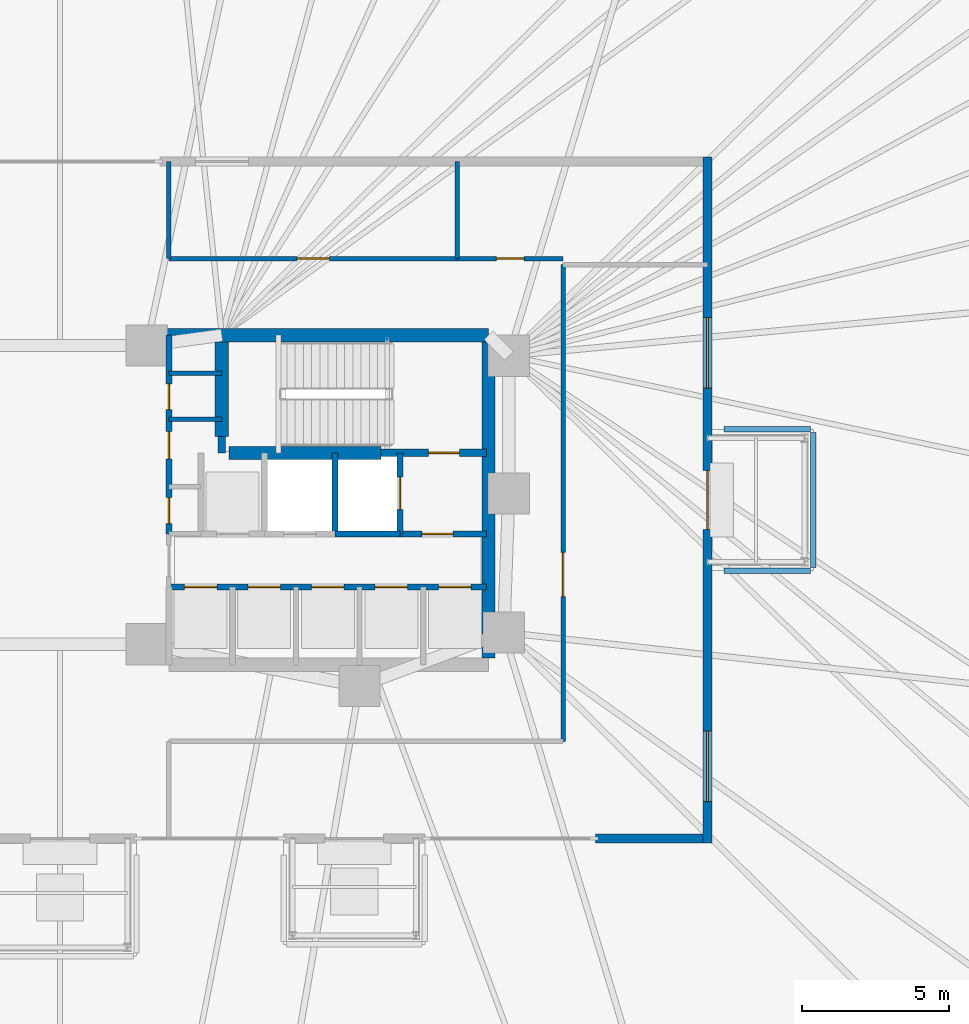
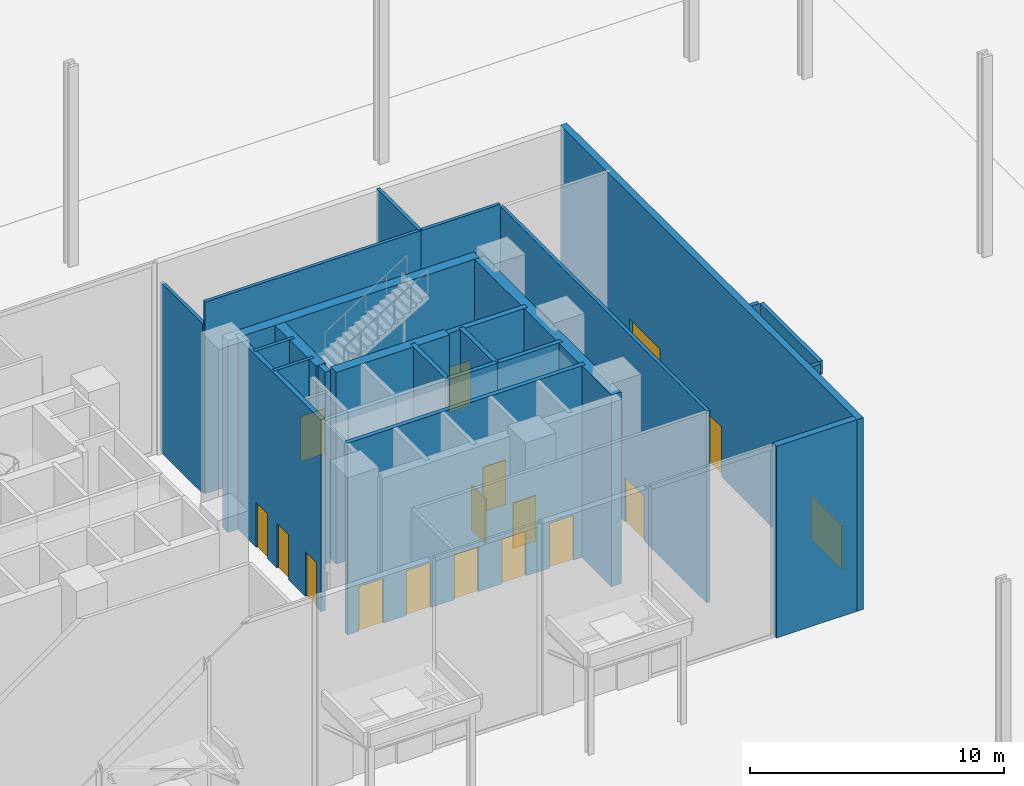
# One storey, part 20 of 24: 24 walls, 15 doors, 2 windows, 17 openings.
"""IFC4 building model written with IfcOpenShell, lengths in metres."""

from ifc_helpers import new_model, si_unit, direction, frame, frame_2d, origin, place, context, subcontext, project, spatial, rectangle, extrude, material, layer, layer_set, type_object, element, fill, save


model = new_model("IFC4")

# Units and contexts
model_context = context("Model", 3, precision=1e-05, world=origin(), true_north=direction((0.0, 1.0)))
body_context = subcontext(model_context, "Body", "Model", "MODEL_VIEW")
ifc_project = project(units=[si_unit("LENGTHUNIT", "METRE"), si_unit("AREAUNIT", "SQUARE_METRE"), si_unit("VOLUMEUNIT", "CUBIC_METRE"), si_unit("PLANEANGLEUNIT", "RADIAN"), si_unit("MASSUNIT", "GRAM", prefix="KILO")], contexts=[model_context])

# Site, building, storey
site_placement = place(None, origin())
site = spatial("IfcSite", under=ifc_project, at=site_placement, CompositionType="ELEMENT")
building_placement = place(site_placement, origin())
building = spatial("IfcBuilding", under=site, at=building_placement, Name="Menara Jurai Vektor", CompositionType="ELEMENT")
storey_placement = place(building_placement, origin())
storey = spatial("IfcBuildingStorey", under=building, at=storey_placement, Name="L00", CompositionType="ELEMENT", Elevation=0.0)

# Wall
ifc_material_1 = material(Name="Insulated Pale Aluminium Spandrel Wall", Category="aluminium")
ifc_layer_1 = layer(ifc_material_1, 0.300048828125)
ifc_layer_set_1 = layer_set([ifc_layer_1], Name="Insulated Pale Aluminium Spandrel Wall")
wall_type_1 = type_object("IfcWallType", Name="ENV-WALL-EXT300", PredefinedType="STANDARD", material=ifc_layer_set_1)
wall_1_placement = place(storey_placement, frame((18.199951171875, -11.5, 0.0), z_axis=(0.0, 0.0, 1.0), x_axis=(1.0, 0.0, 0.0)))
element("IfcWall", 1, at=wall_1_placement, inside=storey, type_object=wall_type_1, Name="Ground Lobby External Wall S-W2", PredefinedType="STANDARD", context=body_context, shape_type="SweptSolid", body=[
    extrude(rectangle(XDim=3.650146484375, YDim=0.300048828125, at=frame_2d((1.8251953125, 0.0))), origin(), (0.0, 0.0, 1.0), 9.195068359375),
])

# Wall, openings, door, windows
wall_2_placement = place(storey_placement, frame((22.0, -11.64990234375, 0.0), z_axis=(0.0, 0.0, 1.0), x_axis=(0.0, 1.0, 0.0)))
wall_2 = element("IfcWall", 2, at=wall_2_placement, inside=storey, type_object=wall_type_1, Name="Ground Lobby External Wall E-FULL", PredefinedType="STANDARD", context=body_context, shape_type="SweptSolid", body=[
    extrude(rectangle(XDim=23.2998046875, YDim=0.300048828125, at=frame_2d((11.64990234375, 0.0))), origin(), (0.0, 0.0, 1.0), 9.195068359375),
])
opening_1_placement = place(wall_2_placement, frame((10.64990234375, 0.0, 0.0)))
opening_1 = element("IfcOpeningElement", 3, at=opening_1_placement, cuts=wall_2, Name="Opening E6", PredefinedType="OPENING", context=body_context, shape_type="SweptSolid", body=[
    extrude(rectangle(XDim=2.0, YDim=2.39990234375, at=frame_2d((1.0, 1.199951171875))), frame((0.0, 0.16015625, 0.0), z_axis=(0.0, -1.0, 0.0), x_axis=(1.0, 0.0, 0.0)), (0.0, 0.0, 1.0), 0.320068359375),
])
opening_2_placement = place(wall_2_placement, frame((1.39990234375, 0.0, 1.10009765625)))
opening_2 = element("IfcOpeningElement", 4, at=opening_2_placement, cuts=wall_2, Name="Opening EW-24", PredefinedType="OPENING", context=body_context, shape_type="SweptSolid", body=[
    extrude(rectangle(XDim=2.39990234375, YDim=2.10009765625, at=frame_2d((1.199951171875, 1.050048828125))), frame((0.0, 0.16015625, 0.0), z_axis=(0.0, -1.0, 0.0), x_axis=(1.0, 0.0, 0.0)), (0.0, 0.0, 1.0), 0.320068359375),
])
opening_3_placement = place(wall_2_placement, frame((15.449951171875, 0.0, 1.10009765625)))
opening_3 = element("IfcOpeningElement", 5, at=opening_3_placement, cuts=wall_2, Name="Opening EW-24", PredefinedType="OPENING", context=body_context, shape_type="SweptSolid", body=[
    extrude(rectangle(XDim=2.39990234375, YDim=2.10009765625, at=frame_2d((1.199951171875, 1.050048828125))), frame((0.0, 0.16015625, 0.0), z_axis=(0.0, -1.0, 0.0), x_axis=(1.0, 0.0, 0.0)), (0.0, 0.0, 1.0), 0.320068359375),
])
ifc_material_2 = material(Name="Anodised Aluminium Double Glazed Entrance Door", Category="aluminium")
door_type_1 = type_object("IfcDoorType", Name="ENV-DOOR-ENT200", OperationType="NOTDEFINED", PredefinedType="DOOR", material=ifc_material_2)
door_1_placement = place(opening_1_placement, frame((2.0, 0.0, 0.0), z_axis=(0.0, 0.0, 1.0), x_axis=(-1.0, 0.0, 0.0)))
door_1 = element("IfcDoor", 6, at=door_1_placement, inside=storey, type_object=door_type_1, Name="Main Pedestrian Entrance Door E6", OperationType="DOUBLE_DOOR_SINGLE_SWING", OverallHeight=2.39990234375, OverallWidth=2.0, PredefinedType="DOOR", context=body_context, shape_type="SweptSolid", body=[
    extrude(rectangle(XDim=2.0, YDim=2.39990234375, at=frame_2d((1.0, 1.199951171875))), frame((0.0, 0.02490234375, 0.0), z_axis=(0.0, -1.0, 0.0), x_axis=(1.0, 0.0, 0.0)), (0.0, 0.0, 1.0), 0.050048828125),
])
fill(opening_1, door_1)
ifc_material_3 = material(Name="Low-E Double Glazed Pale Aluminium Window", Category="aluminium")
window_type = type_object("IfcWindowType", Name="ENV-WIN-PAV240", PartitioningType="SINGLE_PANEL", PredefinedType="WINDOW", material=ifc_material_3)
window_1_placement = place(opening_2_placement, origin())
window_1 = element("IfcWindow", 7, at=window_1_placement, inside=storey, type_object=window_type, Name="Ground Pavilion Window W04", OverallHeight=2.10009765625, OverallWidth=2.39990234375, PartitioningType="SINGLE_PANEL", PredefinedType="WINDOW", context=body_context, shape_type="SweptSolid", body=[
    extrude(rectangle(XDim=2.39990234375, YDim=2.10009765625, at=frame_2d((1.199951171875, 1.050048828125))), frame((0.0, 0.030029296875, 0.0), z_axis=(0.0, -1.0, 0.0), x_axis=(1.0, 0.0, 0.0)), (0.0, 0.0, 1.0), 0.06005859375),
])
fill(opening_2, window_1)
window_2_placement = place(opening_3_placement, origin())
window_2 = element("IfcWindow", 8, at=window_2_placement, inside=storey, type_object=window_type, Name="Ground Pavilion Window W05", OverallHeight=2.10009765625, OverallWidth=2.39990234375, PartitioningType="SINGLE_PANEL", PredefinedType="WINDOW", context=body_context, shape_type="SweptSolid", body=[
    extrude(rectangle(XDim=2.39990234375, YDim=2.10009765625, at=frame_2d((1.199951171875, 1.050048828125))), frame((0.0, 0.030029296875, 0.0), z_axis=(0.0, -1.0, 0.0), x_axis=(1.0, 0.0, 0.0)), (0.0, 0.0, 1.0), 0.06005859375),
])
fill(opening_3, window_2)

# Walls
ifc_material_4 = material(Name="Concrete C40/50", Category="concrete")
ifc_layer_2 = layer(ifc_material_4, 0.179931640625)
ifc_layer_set_2 = layer_set([ifc_layer_2], Name="Concrete C40/50")
wall_type_2 = type_object("IfcWallType", Name="ENV-WALL-PARAPET180", PredefinedType="PARAPET", material=ifc_layer_set_2)
wall_3_placement = place(storey_placement, frame((25.60009765625, -2.301025390625, 4.3798828125), z_axis=(0.0, 0.0, 1.0), x_axis=(0.0, 1.0, 0.0)))
element("IfcWall", 9, at=wall_3_placement, inside=storey, type_object=wall_type_2, Name="Roof Parapet Wall L00-CAN-E6-01", PredefinedType="PARAPET", context=body_context, shape_type="SweptSolid", body=[
    extrude(rectangle(XDim=4.60205078125, YDim=0.179931640625, at=frame_2d((2.301025390625, 0.0))), origin(), (0.0, 0.0, 1.0), 0.650146484375),
])
for number, where, z_axis, x_axis, name in (
    (10, (25.5009765625, 2.39990234375, 4.3798828125), (0.0, 0.0, 1.0), (-1.0, 0.0, 0.0), "Roof Parapet Wall L00-CAN-E6-02"),
    (11, (22.569091796875, -2.39990234375, 4.3798828125), (0.0, 0.0, 1.0), (1.0, 0.0, 0.0), "Roof Parapet Wall L00-CAN-E6-04"),
):
    element("IfcWall", number, at=place(storey_placement, frame(where, z_axis=z_axis, x_axis=x_axis)), inside=storey, type_object=wall_type_2, Name=name, PredefinedType="PARAPET", context=body_context, shape_type="SweptSolid", body=[
        extrude(rectangle(XDim=2.931884765625, YDim=0.179931640625, at=frame_2d((1.4658203125, 0.0))), origin(), (0.0, 0.0, 1.0), 0.650146484375),
    ])

# Wall, opening, door
ifc_layer_3 = layer(ifc_material_4, 0.25)
ifc_layer_set_3 = layer_set([ifc_layer_3], Name="Concrete C40/50")
wall_type_3 = type_object("IfcWallType", Name="INT-WALL-CORE-250", PredefinedType="STANDARD", material=ifc_layer_set_3)
wall_4_placement = place(storey_placement, frame((10.89990234375, 1.60009765625, 0.0), z_axis=(0.0, 0.0, 1.0), x_axis=(1.0, 0.0, 0.0)))
wall_4 = element("IfcWall", 12, at=wall_4_placement, inside=storey, type_object=wall_type_3, Name="Interior Wall IW-250 L00", PredefinedType="STANDARD", context=body_context, shape_type="SweptSolid", body=[
    extrude(rectangle(XDim=3.60009765625, YDim=0.25, at=frame_2d((1.800048828125, 0.0))), origin(), (0.0, 0.0, 1.0), 9.199951171875),
])
opening_4_placement = place(wall_4_placement, frame((1.6201171875, 0.0, 0.0)))
opening_4 = element("IfcOpeningElement", 13, at=opening_4_placement, cuts=wall_4, Name="Opening D-L00-ST2", PredefinedType="OPENING", context=body_context, shape_type="SweptSolid", body=[
    extrude(rectangle(XDim=1.050048828125, YDim=2.14990234375, at=frame_2d((0.52490234375, 1.074951171875))), frame((0.0, 0.135009765625, 0.0), z_axis=(0.0, -1.0, 0.0), x_axis=(1.0, 0.0, 0.0)), (0.0, 0.0, 1.0), 0.27001953125),
])
ifc_material_5 = material(Name="Fire-Rated Steel Door", Category="steel")
door_type_2 = type_object("IfcDoorType", Name="DR-STAIR-1050", OperationType="NOTDEFINED", PredefinedType="DOOR", material=ifc_material_5)
door_2_placement = place(opening_4_placement, frame((1.050048828125, 0.0, 0.0), z_axis=(0.0, 0.0, 1.0), x_axis=(-1.0, 0.0, 0.0)))
door_2 = element("IfcDoor", 14, at=door_2_placement, inside=storey, type_object=door_type_2, Name="Exit Stair ST2 Door L00", OperationType="SINGLE_SWING_LEFT", OverallHeight=2.14990234375, OverallWidth=1.050048828125, PredefinedType="DOOR", context=body_context, shape_type="SweptSolid", body=[
    extrude(rectangle(XDim=1.050048828125, YDim=2.14990234375, at=frame_2d((0.52490234375, 1.074951171875))), frame((0.0, 0.02490234375, 0.0), z_axis=(0.0, -1.0, 0.0), x_axis=(1.0, 0.0, 0.0)), (0.0, 0.0, 1.0), 0.050048828125),
])
fill(opening_4, door_2)

# Wall
wall_5_placement = place(storey_placement, frame((5.5, 1.60009765625, 0.0), z_axis=(0.0, 0.0, 1.0), x_axis=(0.0, 1.0, 0.0)))
element("IfcWall", 15, at=wall_5_placement, inside=storey, type_object=wall_type_3, Name="Interior Wall IW-250 L00", PredefinedType="STANDARD", context=body_context, shape_type="SweptSolid", body=[
    extrude(rectangle(XDim=0.5498046875, YDim=0.25, at=frame_2d((0.27490234375, 0.0))), origin(), (0.0, 0.0, 1.0), 9.199951171875),
])

# Wall, opening, door
wall_6_placement = place(storey_placement, frame((11.550048828125, -1.14990234375, 0.0), z_axis=(0.0, 0.0, 1.0), x_axis=(0.0, 1.0, 0.0)))
wall_6 = element("IfcWall", 16, at=wall_6_placement, inside=storey, type_object=wall_type_3, Name="Interior Wall IW-250 L00", PredefinedType="STANDARD", context=body_context, shape_type="SweptSolid", body=[
    extrude(rectangle(XDim=2.75, YDim=0.199951171875, at=frame_2d((1.375, 0.0))), origin(), (0.0, 0.0, 1.0), 9.199951171875),
])
opening_5_placement = place(wall_6_placement, frame((0.824951171875, 0.0, 0.0)))
opening_5 = element("IfcOpeningElement", 17, at=opening_5_placement, cuts=wall_6, Name="Opening LD-L00-FL2", PredefinedType="OPENING", context=body_context, shape_type="SweptSolid", body=[
    extrude(rectangle(XDim=1.10009765625, YDim=2.14990234375, at=frame_2d((0.550048828125, 1.074951171875))), frame((0.0, 0.10986328125, 0.0), z_axis=(0.0, -1.0, 0.0), x_axis=(1.0, 0.0, 0.0)), (0.0, 0.0, 1.0), 0.219970703125),
])
ifc_material_6 = material(Name="Stainless Steel Sliding Lift Landing Door", Category="steel")
door_type_3 = type_object("IfcDoorType", Name="DR-LIFT-FIRE-1100", OperationType="NOTDEFINED", PredefinedType="DOOR", material=ifc_material_6)
door_3_placement = place(opening_5_placement, origin())
door_3 = element("IfcDoor", 18, at=door_3_placement, inside=storey, type_object=door_type_3, Name="Lift Landing Door FL2 L00", OperationType="SLIDING_TO_RIGHT", OverallHeight=2.14990234375, OverallWidth=1.10009765625, PredefinedType="DOOR", context=body_context, shape_type="SweptSolid", body=[
    extrude(rectangle(XDim=1.10009765625, YDim=2.14990234375, at=frame_2d((0.550048828125, 1.074951171875))), frame((0.0, 0.02490234375, 0.0), z_axis=(0.0, -1.0, 0.0), x_axis=(1.0, 0.0, 0.0)), (0.0, 0.0, 1.0), 0.050048828125),
])
fill(opening_5, door_3)

# Wall
wall_7_placement = place(storey_placement, frame((9.35009765625, -1.14990234375, 0.0), z_axis=(0.0, 0.0, 1.0), x_axis=(0.0, 1.0, 0.0)))
element("IfcWall", 19, at=wall_7_placement, inside=storey, type_object=wall_type_3, Name="Interior Wall IW-250 L00", PredefinedType="STANDARD", context=body_context, shape_type="SweptSolid", body=[
    extrude(rectangle(XDim=2.75, YDim=0.199951171875, at=frame_2d((1.375, 0.0))), origin(), (0.0, 0.0, 1.0), 9.199951171875),
])

# Wall, opening, door
wall_8_placement = place(storey_placement, frame((11.550048828125, -1.14990234375, 0.0), z_axis=(0.0, 0.0, 1.0), x_axis=(1.0, 0.0, 0.0)))
wall_8 = element("IfcWall", 20, at=wall_8_placement, inside=storey, type_object=wall_type_3, Name="Interior Wall IW-250 L00", PredefinedType="STANDARD", context=body_context, shape_type="SweptSolid", body=[
    extrude(rectangle(XDim=2.949951171875, YDim=0.199951171875, at=frame_2d((1.47509765625, 0.0))), origin(), (0.0, 0.0, 1.0), 9.199951171875),
])
opening_6_placement = place(wall_8_placement, frame((0.75, 0.0, 0.0)))
opening_6 = element("IfcOpeningElement", 21, at=opening_6_placement, cuts=wall_8, Name="Opening D-L00-FFE", PredefinedType="OPENING", context=body_context, shape_type="SweptSolid", body=[
    extrude(rectangle(XDim=1.050048828125, YDim=2.179931640625, at=frame_2d((0.52490234375, 1.08984375))), frame((0.0, 0.10986328125, 0.0), z_axis=(0.0, -1.0, 0.0), x_axis=(1.0, 0.0, 0.0)), (0.0, 0.0, 1.0), 0.219970703125),
])
ifc_material_7 = material(Name="Fire-Rated Timber Door", Category="wood")
door_type_4 = type_object("IfcDoorType", Name="DR-LOBBY-1050", OperationType="NOTDEFINED", PredefinedType="DOOR", material=ifc_material_7)
door_4_placement = place(opening_6_placement, frame((1.050048828125, 0.0, 0.0), z_axis=(0.0, 0.0, 1.0), x_axis=(-1.0, 0.0, 0.0)))
door_4 = element("IfcDoor", 22, at=door_4_placement, inside=storey, type_object=door_type_4, Name="Fire Lift Lobby Door E L00", OperationType="SINGLE_SWING_LEFT", OverallHeight=2.179931640625, OverallWidth=1.050048828125, PredefinedType="DOOR", context=body_context, shape_type="SweptSolid", body=[
    extrude(rectangle(XDim=1.050048828125, YDim=2.179931640625, at=frame_2d((0.52490234375, 1.08984375))), frame((0.0, 0.02490234375, 0.0), z_axis=(0.0, -1.0, 0.0), x_axis=(1.0, 0.0, 0.0)), (0.0, 0.0, 1.0), 0.050048828125),
])
fill(opening_6, door_4)

# Walls
wall_9_placement = place(storey_placement, frame((9.35009765625, -1.14990234375, 0.0), z_axis=(0.0, 0.0, 1.0), x_axis=(1.0, 0.0, 0.0)))
element("IfcWall", 23, at=wall_9_placement, inside=storey, type_object=wall_type_3, Name="Interior Wall IW-250 L00", PredefinedType="STANDARD", context=body_context, shape_type="SweptSolid", body=[
    extrude(rectangle(XDim=2.199951171875, YDim=0.199951171875, at=frame_2d((1.10009765625, 0.0))), origin(), (0.0, 0.0, 1.0), 9.199951171875),
])
ifc_material_8 = material(Name="Gypsum Fireboard Partition", Category="gypsum")
ifc_layer_4 = layer(ifc_material_8, 0.14990234375)
ifc_layer_set_4 = layer_set([ifc_layer_4], Name="Gypsum Fireboard Partition")
wall_type_4 = type_object("IfcWallType", Name="INT-WALL-CORR-150", PredefinedType="PARTITIONING", material=ifc_layer_set_4)
for number, where, z_axis, x_axis, name in (
    (24, (3.699951171875, 4.300048828125, 0.0), (0.0, 0.0, 1.0), (1.0, 0.0, 0.0), "Interior Wall IW-150 L00"),
    (25, (3.699951171875, 2.75, 0.0), (0.0, 0.0, 1.0), (1.0, 0.0, 0.0), "Interior Wall IW-150 L00"),
):
    element("IfcWall", number, at=place(storey_placement, frame(where, z_axis=z_axis, x_axis=x_axis)), inside=storey, type_object=wall_type_4, Name=name, PredefinedType="PARTITIONING", context=body_context, shape_type="SweptSolid", body=[
        extrude(rectangle(XDim=1.800048828125, YDim=0.14990234375, at=frame_2d((0.89990234375, 0.0))), origin(), (0.0, 0.0, 1.0), 9.199951171875),
    ])

# Wall, opening, door
wall_10_placement = place(storey_placement, frame((3.699951171875, 8.199951171875, 0.0), z_axis=(0.0, 0.0, 1.0), x_axis=(1.0, 0.0, 0.0)))
wall_10 = element("IfcWall", 26, at=wall_10_placement, inside=storey, type_object=wall_type_4, Name="Interior Wall IW-150 L00", PredefinedType="PARTITIONING", context=body_context, shape_type="SweptSolid", body=[
    extrude(rectangle(XDim=9.800048828125, YDim=0.14990234375, at=frame_2d((4.89990234375, 0.0))), origin(), (0.0, 0.0, 1.0), 9.199951171875),
])
opening_7_placement = place(wall_10_placement, frame((4.35009765625, 0.0, 0.0)))
opening_7 = element("IfcOpeningElement", 27, at=opening_7_placement, cuts=wall_10, Name="Opening D00-06", PredefinedType="OPENING", context=body_context, shape_type="SweptSolid", body=[
    extrude(rectangle(XDim=1.10009765625, YDim=2.14990234375, at=frame_2d((0.550048828125, 1.074951171875))), frame((0.0, 0.0849609375, 0.0), z_axis=(0.0, -1.0, 0.0), x_axis=(1.0, 0.0, 0.0)), (0.0, 0.0, 1.0), 0.169921875),
])
ifc_material_9 = material(Name="Fire-Rated Steel Plant Door", Category="steel")
door_type_5 = type_object("IfcDoorType", Name="DR-PLANT-1150", OperationType="NOTDEFINED", PredefinedType="DOOR", material=ifc_material_9)
door_5_placement = place(opening_7_placement, origin())
door_5 = element("IfcDoor", 28, at=door_5_placement, inside=storey, type_object=door_type_5, Name="Interior Door D00-06", OperationType="SINGLE_SWING_LEFT", OverallHeight=2.14990234375, OverallWidth=1.10009765625, PredefinedType="DOOR", context=body_context, shape_type="SweptSolid", body=[
    extrude(rectangle(XDim=1.10009765625, YDim=2.14990234375, at=frame_2d((0.550048828125, 1.074951171875))), frame((0.0, 0.02490234375, 0.0), z_axis=(0.0, -1.0, 0.0), x_axis=(1.0, 0.0, 0.0)), (0.0, 0.0, 1.0), 0.050048828125),
])
fill(opening_7, door_5)

wall_11_placement = place(storey_placement, frame((13.5, 8.199951171875, 0.0), z_axis=(0.0, 0.0, 1.0), x_axis=(1.0, 0.0, 0.0)))
wall_11 = element("IfcWall", 29, at=wall_11_placement, inside=storey, type_object=wall_type_4, Name="Interior Wall IW-150 L00", PredefinedType="PARTITIONING", context=body_context, shape_type="SweptSolid", body=[
    extrude(rectangle(XDim=3.60009765625, YDim=0.14990234375, at=frame_2d((1.800048828125, 0.0))), origin(), (0.0, 0.0, 1.0), 9.199951171875),
])
opening_8_placement = place(wall_11_placement, frame((1.324951171875, 0.0, 0.0)))
opening_8 = element("IfcOpeningElement", 30, at=opening_8_placement, cuts=wall_11, Name="Opening D00-07", PredefinedType="OPENING", context=body_context, shape_type="SweptSolid", body=[
    extrude(rectangle(XDim=0.949951171875, YDim=2.14990234375, at=frame_2d((0.47509765625, 1.074951171875))), frame((0.0, 0.0849609375, 0.0), z_axis=(0.0, -1.0, 0.0), x_axis=(1.0, 0.0, 0.0)), (0.0, 0.0, 1.0), 0.169921875),
])
ifc_material_10 = material(Name="Solid Core Timber Fire Door", Category="wood")
door_type_6 = type_object("IfcDoorType", Name="DR-ENTRY-950", OperationType="NOTDEFINED", PredefinedType="DOOR", material=ifc_material_10)
door_6_placement = place(opening_8_placement, origin())
door_6 = element("IfcDoor", 31, at=door_6_placement, inside=storey, type_object=door_type_6, Name="Interior Door D00-07", OperationType="SINGLE_SWING_LEFT", OverallHeight=2.14990234375, OverallWidth=0.949951171875, PredefinedType="DOOR", context=body_context, shape_type="SweptSolid", body=[
    extrude(rectangle(XDim=0.949951171875, YDim=2.14990234375, at=frame_2d((0.47509765625, 1.074951171875))), frame((0.0, 0.02490234375, 0.0), z_axis=(0.0, -1.0, 0.0), x_axis=(1.0, 0.0, 0.0)), (0.0, 0.0, 1.0), 0.050048828125),
])
fill(opening_8, door_6)

wall_12_placement = place(storey_placement, frame((17.10009765625, -8.199951171875, 0.0), z_axis=(0.0, 0.0, 1.0), x_axis=(0.0, 1.0, 0.0)))
wall_12 = element("IfcWall", 32, at=wall_12_placement, inside=storey, type_object=wall_type_4, Name="Interior Wall IW-150 L00", PredefinedType="PARTITIONING", context=body_context, shape_type="SweptSolid", body=[
    extrude(rectangle(XDim=16.199951171875, YDim=0.14990234375, at=frame_2d((8.10009765625, 0.0))), origin(), (0.0, 0.0, 1.0), 9.199951171875),
])
opening_9_placement = place(wall_12_placement, frame((4.919921875, 0.0, 0.0)))
opening_9 = element("IfcOpeningElement", 33, at=opening_9_placement, cuts=wall_12, Name="Opening D00-10", PredefinedType="OPENING", context=body_context, shape_type="SweptSolid", body=[
    extrude(rectangle(XDim=1.5, YDim=2.14990234375, at=frame_2d((0.75, 1.074951171875))), frame((0.0, 0.0849609375, 0.0), z_axis=(0.0, -1.0, 0.0), x_axis=(1.0, 0.0, 0.0)), (0.0, 0.0, 1.0), 0.169921875),
])
door_7_placement = place(opening_9_placement, origin())
door_7 = element("IfcDoor", 34, at=door_7_placement, inside=storey, type_object=door_type_6, Name="Interior Door D00-10", OperationType="DOUBLE_DOOR_SINGLE_SWING", OverallHeight=2.14990234375, OverallWidth=1.5, PredefinedType="DOOR", context=body_context, shape_type="SweptSolid", body=[
    extrude(rectangle(XDim=1.5, YDim=2.14990234375, at=frame_2d((0.75, 1.074951171875))), frame((0.0, 0.02490234375, 0.0), z_axis=(0.0, -1.0, 0.0), x_axis=(1.0, 0.0, 0.0)), (0.0, 0.0, 1.0), 0.050048828125),
])
fill(opening_9, door_7)

# Walls
wall_13_placement = place(storey_placement, frame((13.5, 8.199951171875, 0.0), z_axis=(0.0, 0.0, 1.0), x_axis=(0.0, 1.0, 0.0)))
element("IfcWall", 35, at=wall_13_placement, inside=storey, type_object=wall_type_4, Name="Interior Wall IW-150 L00", PredefinedType="PARTITIONING", context=body_context, shape_type="SweptSolid", body=[
    extrude(rectangle(XDim=3.300048828125, YDim=0.14990234375, at=frame_2d((1.64990234375, 0.0))), origin(), (0.0, 0.0, 1.0), 9.199951171875),
])
ifc_layer_5 = layer(ifc_material_8, 0.14990234375)
ifc_layer_set_5 = layer_set([ifc_layer_5], Name="Gypsum Fireboard Partition")
wall_type_5 = type_object("IfcWallType", Name="INT-WALL-CORR-150-H4", PredefinedType="PARTITIONING", material=ifc_layer_set_5)
wall_14_placement = place(storey_placement, frame((3.699951171875, 8.199951171875, 0.0), z_axis=(0.0, 0.0, 1.0), x_axis=(0.0, 1.0, 0.0)))
element("IfcWall", 36, at=wall_14_placement, inside=storey, type_object=wall_type_5, Name="Interior Wall IW-150 L00", PredefinedType="PARTITIONING", context=body_context, shape_type="SweptSolid", body=[
    extrude(rectangle(XDim=3.300048828125, YDim=0.14990234375, at=frame_2d((1.64990234375, 0.0))), origin(), (0.0, 0.0, 1.0), 8.139892578125),
])

# Wall, openings, doors
ifc_layer_6 = layer(ifc_material_4, 0.199951171875)
ifc_layer_set_6 = layer_set([ifc_layer_6], Name="Concrete C40/50")
wall_type_6 = type_object("IfcWallType", Name="INT-WALL-SHAFT-200", PredefinedType="STANDARD", material=ifc_layer_set_6)
wall_15_placement = place(storey_placement, frame((3.699951171875, -1.14990234375, 0.0), z_axis=(0.0, 0.0, 1.0), x_axis=(0.0, 1.0, 0.0)))
wall_15 = element("IfcWall", 37, at=wall_15_placement, inside=storey, type_object=wall_type_6, Name="Interior Wall IW-200 L00", PredefinedType="STANDARD", context=body_context, shape_type="SweptSolid", body=[
    extrude(rectangle(XDim=6.75, YDim=0.199951171875, at=frame_2d((3.375, 0.0))), origin(), (0.0, 0.0, 1.0), 9.199951171875),
])
opening_10_placement = place(wall_15_placement, frame((0.35009765625, 0.0, 0.0)))
opening_10 = element("IfcOpeningElement", 38, at=opening_10_placement, cuts=wall_15, Name="Opening D00-03", PredefinedType="OPENING", context=body_context, shape_type="SweptSolid", body=[
    extrude(rectangle(XDim=0.8798828125, YDim=2.14990234375, at=frame_2d((0.43994140625, 1.074951171875))), frame((0.0, 0.10986328125, 0.0), z_axis=(0.0, -1.0, 0.0), x_axis=(1.0, 0.0, 0.0)), (0.0, 0.0, 1.0), 0.219970703125),
])
opening_11_placement = place(wall_15_placement, frame((2.550048828125, 0.0, 0.0)))
opening_11 = element("IfcOpeningElement", 39, at=opening_11_placement, cuts=wall_15, Name="Opening D00-04", PredefinedType="OPENING", context=body_context, shape_type="SweptSolid", body=[
    extrude(rectangle(XDim=0.919921875, YDim=2.14990234375, at=frame_2d((0.4599609375, 1.074951171875))), frame((0.0, 0.10986328125, 0.0), z_axis=(0.0, -1.0, 0.0), x_axis=(1.0, 0.0, 0.0)), (0.0, 0.0, 1.0), 0.219970703125),
])
opening_12_placement = place(wall_15_placement, frame((4.219970703125, 0.0, 0.0)))
opening_12 = element("IfcOpeningElement", 40, at=opening_12_placement, cuts=wall_15, Name="Opening D00-05", PredefinedType="OPENING", context=body_context, shape_type="SweptSolid", body=[
    extrude(rectangle(XDim=0.8798828125, YDim=2.14990234375, at=frame_2d((0.43994140625, 1.074951171875))), frame((0.0, 0.10986328125, 0.0), z_axis=(0.0, -1.0, 0.0), x_axis=(1.0, 0.0, 0.0)), (0.0, 0.0, 1.0), 0.219970703125),
])
door_8_placement = place(opening_10_placement, origin())
door_8 = element("IfcDoor", 41, at=door_8_placement, inside=storey, type_object=door_type_6, Name="Interior Door D00-03", OperationType="SINGLE_SWING_RIGHT", OverallHeight=2.14990234375, OverallWidth=0.8798828125, PredefinedType="DOOR", context=body_context, shape_type="SweptSolid", body=[
    extrude(rectangle(XDim=0.8798828125, YDim=2.14990234375, at=frame_2d((0.43994140625, 1.074951171875))), frame((0.0, 0.02490234375, 0.0), z_axis=(0.0, -1.0, 0.0), x_axis=(1.0, 0.0, 0.0)), (0.0, 0.0, 1.0), 0.050048828125),
])
fill(opening_10, door_8)
door_9_placement = place(opening_11_placement, origin())
door_9 = element("IfcDoor", 42, at=door_9_placement, inside=storey, type_object=door_type_6, Name="Interior Door D00-04", OperationType="SINGLE_SWING_RIGHT", OverallHeight=2.14990234375, OverallWidth=0.919921875, PredefinedType="DOOR", context=body_context, shape_type="SweptSolid", body=[
    extrude(rectangle(XDim=0.919921875, YDim=2.14990234375, at=frame_2d((0.4599609375, 1.074951171875))), frame((0.0, 0.02490234375, 0.0), z_axis=(0.0, -1.0, 0.0), x_axis=(1.0, 0.0, 0.0)), (0.0, 0.0, 1.0), 0.050048828125),
])
fill(opening_11, door_9)
door_10_placement = place(opening_12_placement, origin())
door_10 = element("IfcDoor", 43, at=door_10_placement, inside=storey, type_object=door_type_6, Name="Interior Door D00-05", OperationType="SINGLE_SWING_RIGHT", OverallHeight=2.14990234375, OverallWidth=0.8798828125, PredefinedType="DOOR", context=body_context, shape_type="SweptSolid", body=[
    extrude(rectangle(XDim=0.8798828125, YDim=2.14990234375, at=frame_2d((0.43994140625, 1.074951171875))), frame((0.0, 0.02490234375, 0.0), z_axis=(0.0, -1.0, 0.0), x_axis=(1.0, 0.0, 0.0)), (0.0, 0.0, 1.0), 0.050048828125),
])
fill(opening_12, door_10)

wall_16_placement = place(storey_placement, frame((3.699951171875, -2.949951171875, 0.0), z_axis=(0.0, 0.0, 1.0), x_axis=(1.0, 0.0, 0.0)))
wall_16 = element("IfcWall", 44, at=wall_16_placement, inside=storey, type_object=wall_type_6, Name="Interior Wall IW-200 L00", PredefinedType="STANDARD", context=body_context, shape_type="SweptSolid", body=[
    extrude(rectangle(XDim=10.800048828125, YDim=0.199951171875, at=frame_2d((5.39990234375, 0.0))), origin(), (0.0, 0.0, 1.0), 9.199951171875),
])
opening_13_placement = place(wall_16_placement, frame((0.530029296875, 0.0, 0.0)))
opening_13 = element("IfcOpeningElement", 45, at=opening_13_placement, cuts=wall_16, Name="Opening LD-L00-PH3", PredefinedType="OPENING", context=body_context, shape_type="SweptSolid", body=[
    extrude(rectangle(XDim=1.10009765625, YDim=2.14990234375, at=frame_2d((0.550048828125, 1.074951171875))), frame((0.0, 0.10986328125, 0.0), z_axis=(0.0, -1.0, 0.0), x_axis=(1.0, 0.0, 0.0)), (0.0, 0.0, 1.0), 0.219970703125),
])
opening_14_placement = place(wall_16_placement, frame((2.68994140625, 0.0, 0.0)))
opening_14 = element("IfcOpeningElement", 46, at=opening_14_placement, cuts=wall_16, Name="Opening LD-L00-PM3", PredefinedType="OPENING", context=body_context, shape_type="SweptSolid", body=[
    extrude(rectangle(XDim=1.10009765625, YDim=2.14990234375, at=frame_2d((0.550048828125, 1.074951171875))), frame((0.0, 0.10986328125, 0.0), z_axis=(0.0, -1.0, 0.0), x_axis=(1.0, 0.0, 0.0)), (0.0, 0.0, 1.0), 0.219970703125),
])
opening_15_placement = place(wall_16_placement, frame((4.85009765625, 0.0, 0.0)))
opening_15 = element("IfcOpeningElement", 47, at=opening_15_placement, cuts=wall_16, Name="Opening LD-L00-PM4", PredefinedType="OPENING", context=body_context, shape_type="SweptSolid", body=[
    extrude(rectangle(XDim=1.10009765625, YDim=2.14990234375, at=frame_2d((0.550048828125, 1.074951171875))), frame((0.0, 0.10986328125, 0.0), z_axis=(0.0, -1.0, 0.0), x_axis=(1.0, 0.0, 0.0)), (0.0, 0.0, 1.0), 0.219970703125),
])
opening_16_placement = place(wall_16_placement, frame((7.010009765625, 0.0, 0.0)))
opening_16 = element("IfcOpeningElement", 48, at=opening_16_placement, cuts=wall_16, Name="Opening LD-L00-PL3", PredefinedType="OPENING", context=body_context, shape_type="SweptSolid", body=[
    extrude(rectangle(XDim=1.10009765625, YDim=2.14990234375, at=frame_2d((0.550048828125, 1.074951171875))), frame((0.0, 0.10986328125, 0.0), z_axis=(0.0, -1.0, 0.0), x_axis=(1.0, 0.0, 0.0)), (0.0, 0.0, 1.0), 0.219970703125),
])
opening_17_placement = place(wall_16_placement, frame((9.169921875, 0.0, 0.0)))
opening_17 = element("IfcOpeningElement", 49, at=opening_17_placement, cuts=wall_16, Name="Opening LD-L00-PL4", PredefinedType="OPENING", context=body_context, shape_type="SweptSolid", body=[
    extrude(rectangle(XDim=1.10009765625, YDim=2.14990234375, at=frame_2d((0.550048828125, 1.074951171875))), frame((0.0, 0.10986328125, 0.0), z_axis=(0.0, -1.0, 0.0), x_axis=(1.0, 0.0, 0.0)), (0.0, 0.0, 1.0), 0.219970703125),
])
ifc_material_11 = material(Name="Anodised Stainless Sliding Lift Landing Door", Category="steel")
door_type_7 = type_object("IfcDoorType", Name="DR-LIFT-PASS-1100", OperationType="NOTDEFINED", PredefinedType="DOOR", material=ifc_material_11)
door_11_placement = place(opening_13_placement, origin())
door_11 = element("IfcDoor", 50, at=door_11_placement, inside=storey, type_object=door_type_7, Name="Lift Landing Door PH3 L00", OperationType="SLIDING_TO_RIGHT", OverallHeight=2.14990234375, OverallWidth=1.10009765625, PredefinedType="DOOR", context=body_context, shape_type="SweptSolid", body=[
    extrude(rectangle(XDim=1.10009765625, YDim=2.14990234375, at=frame_2d((0.550048828125, 1.074951171875))), frame((0.0, 0.02490234375, 0.0), z_axis=(0.0, -1.0, 0.0), x_axis=(1.0, 0.0, 0.0)), (0.0, 0.0, 1.0), 0.050048828125),
])
fill(opening_13, door_11)
door_12_placement = place(opening_14_placement, origin())
door_12 = element("IfcDoor", 51, at=door_12_placement, inside=storey, type_object=door_type_7, Name="Lift Landing Door PM3 L00", OperationType="SLIDING_TO_LEFT", OverallHeight=2.14990234375, OverallWidth=1.10009765625, PredefinedType="DOOR", context=body_context, shape_type="SweptSolid", body=[
    extrude(rectangle(XDim=1.10009765625, YDim=2.14990234375, at=frame_2d((0.550048828125, 1.074951171875))), frame((0.0, 0.02490234375, 0.0), z_axis=(0.0, -1.0, 0.0), x_axis=(1.0, 0.0, 0.0)), (0.0, 0.0, 1.0), 0.050048828125),
])
fill(opening_14, door_12)
door_13_placement = place(opening_15_placement, origin())
door_13 = element("IfcDoor", 52, at=door_13_placement, inside=storey, type_object=door_type_7, Name="Lift Landing Door PM4 L00", OperationType="SLIDING_TO_RIGHT", OverallHeight=2.14990234375, OverallWidth=1.10009765625, PredefinedType="DOOR", context=body_context, shape_type="SweptSolid", body=[
    extrude(rectangle(XDim=1.10009765625, YDim=2.14990234375, at=frame_2d((0.550048828125, 1.074951171875))), frame((0.0, 0.02490234375, 0.0), z_axis=(0.0, -1.0, 0.0), x_axis=(1.0, 0.0, 0.0)), (0.0, 0.0, 1.0), 0.050048828125),
])
fill(opening_15, door_13)
door_14_placement = place(opening_16_placement, origin())
door_14 = element("IfcDoor", 53, at=door_14_placement, inside=storey, type_object=door_type_7, Name="Lift Landing Door PL3 L00", OperationType="SLIDING_TO_RIGHT", OverallHeight=2.14990234375, OverallWidth=1.10009765625, PredefinedType="DOOR", context=body_context, shape_type="SweptSolid", body=[
    extrude(rectangle(XDim=1.10009765625, YDim=2.14990234375, at=frame_2d((0.550048828125, 1.074951171875))), frame((0.0, 0.02490234375, 0.0), z_axis=(0.0, -1.0, 0.0), x_axis=(1.0, 0.0, 0.0)), (0.0, 0.0, 1.0), 0.050048828125),
])
fill(opening_16, door_14)
door_15_placement = place(opening_17_placement, origin())
door_15 = element("IfcDoor", 54, at=door_15_placement, inside=storey, type_object=door_type_7, Name="Lift Landing Door PL4 L00", OperationType="SLIDING_TO_LEFT", OverallHeight=2.14990234375, OverallWidth=1.10009765625, PredefinedType="DOOR", context=body_context, shape_type="SweptSolid", body=[
    extrude(rectangle(XDim=1.10009765625, YDim=2.14990234375, at=frame_2d((0.550048828125, 1.074951171875))), frame((0.0, 0.02490234375, 0.0), z_axis=(0.0, -1.0, 0.0), x_axis=(1.0, 0.0, 0.0)), (0.0, 0.0, 1.0), 0.050048828125),
])
fill(opening_17, door_15)

# Walls
ifc_material_12 = material(Name="Concrete C60/75", Category="concrete")
ifc_layer_7 = layer(ifc_material_12, 0.449951171875)
ifc_layer_set_7 = layer_set([ifc_layer_7], Name="Concrete C60/75")
wall_type_7 = type_object("IfcWallType", Name="STR-WALL-CORE450", PredefinedType="SHEAR", material=ifc_layer_set_7)
wall_17_placement = place(storey_placement, frame((3.14990234375, 5.60009765625, 0.0), z_axis=(0.0, 0.0, 1.0), x_axis=(1.0, 0.0, 0.0)))
element("IfcWall", 55, at=wall_17_placement, inside=storey, type_object=wall_type_7, Name="Core Shear Wall CW-E-N L00", PredefinedType="SHEAR", context=body_context, shape_type="SweptSolid", body=[
    extrude(rectangle(XDim=11.41015625, YDim=0.449951171875, at=frame_2d((5.705078125, 0.0))), origin(), (0.0, 0.0, 1.0), 9.199951171875),
])
wall_18_placement = place(storey_placement, frame((14.56005859375, -5.375, 0.0), z_axis=(0.0, 0.0, 1.0), x_axis=(0.0, 1.0, 0.0)))
element("IfcWall", 56, at=wall_18_placement, inside=storey, type_object=wall_type_7, Name="Core Shear Wall CW-E-E L00", PredefinedType="SHEAR", context=body_context, shape_type="SweptSolid", body=[
    extrude(rectangle(XDim=10.75, YDim=0.449951171875, at=frame_2d((5.375, 0.0))), origin(), (0.0, 0.0, 1.0), 9.199951171875),
])
wall_19_placement = place(storey_placement, frame((5.5, 2.14990234375, 0.0), z_axis=(0.0, 0.0, 1.0), x_axis=(0.0, 1.0, 0.0)))
element("IfcWall", 57, at=wall_19_placement, inside=storey, type_object=wall_type_7, Name="Core Shear Wall CW-E-ST L00", PredefinedType="SHEAR", context=body_context, shape_type="SweptSolid", body=[
    extrude(rectangle(XDim=3.22509765625, YDim=0.449951171875, at=frame_2d((1.612548828125, 0.0))), origin(), (0.0, 0.0, 1.0), 9.199951171875),
])
wall_20_placement = place(storey_placement, frame((5.75, 1.60009765625, 0.0), z_axis=(0.0, 0.0, 1.0), x_axis=(1.0, 0.0, 0.0)))
element("IfcWall", 58, at=wall_20_placement, inside=storey, type_object=wall_type_7, Name="Core Shear Wall CW-E-STS L00", PredefinedType="SHEAR", context=body_context, shape_type="SweptSolid", body=[
    extrude(rectangle(XDim=5.14990234375, YDim=0.449951171875, at=frame_2d((2.574951171875, 0.0))), origin(), (0.0, 0.0, 1.0), 9.199951171875),
])

save(model, "model.ifc")
